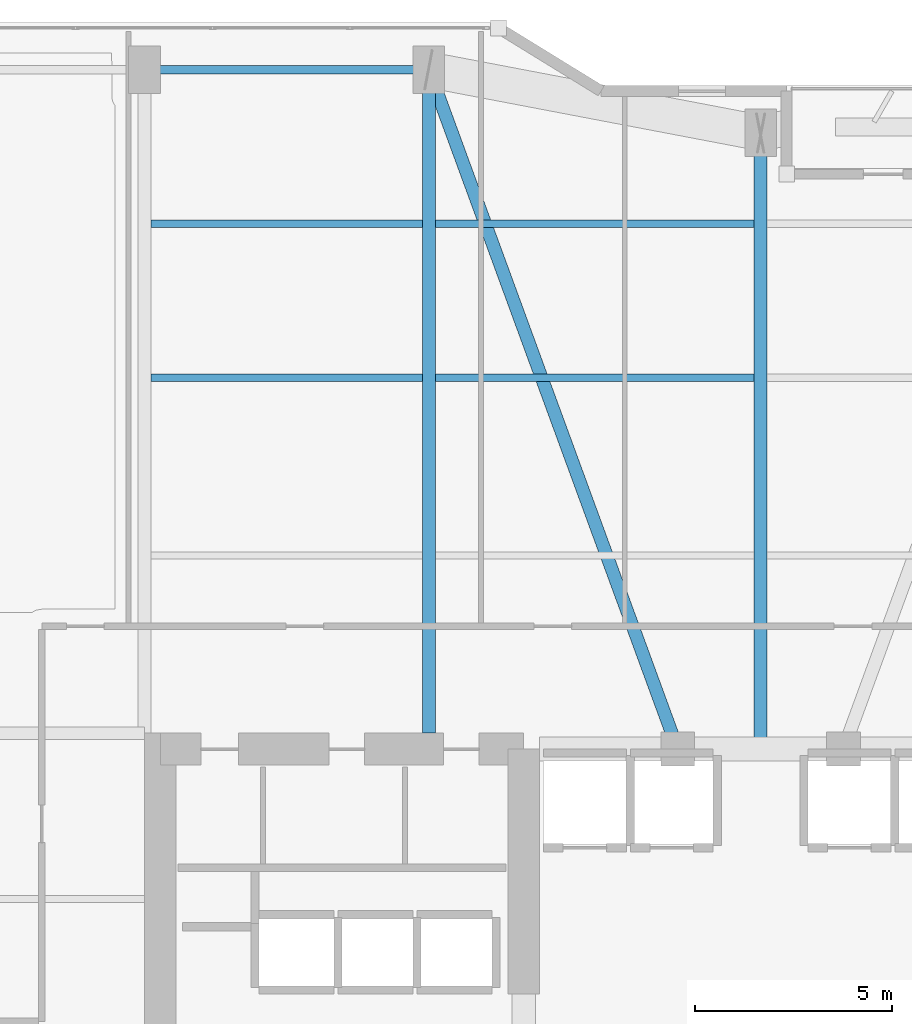
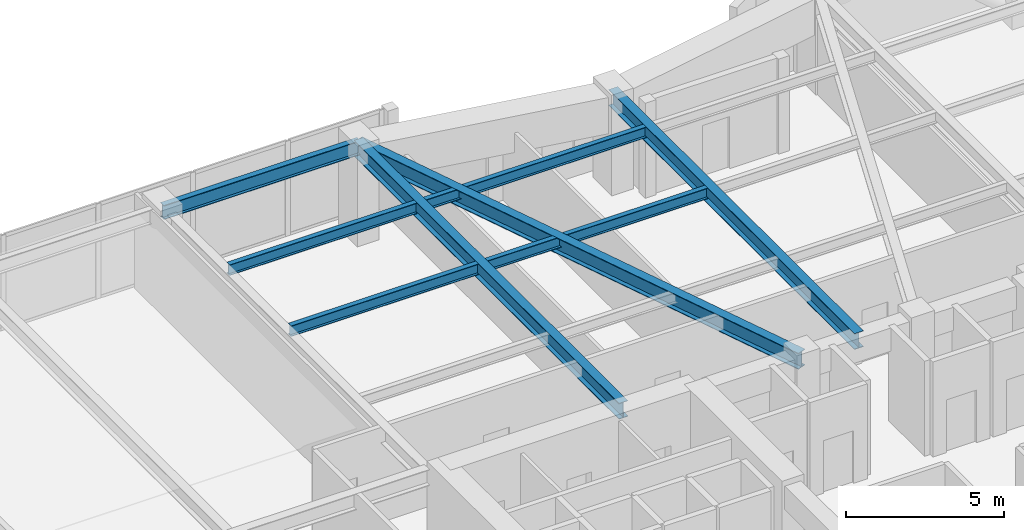
# One storey, part 18 of 30: 8 beams.
"""IFC4 building model written with IfcOpenShell, lengths in metres."""

from ifc_helpers import new_model, si_unit, direction, frame, origin, origin_2d, place, context, subcontext, project, spatial, i_section, extrude, material, material_profile, profile_set, type_object, element, save


model = new_model("IFC4")

# Units and contexts
model_context = context("Model", 3, precision=1e-05, world=origin(), true_north=direction((0.0, 1.0)))
body_context = subcontext(model_context, "Body", "Model", "MODEL_VIEW")
ifc_project = project(units=[si_unit("LENGTHUNIT", "METRE"), si_unit("AREAUNIT", "SQUARE_METRE"), si_unit("VOLUMEUNIT", "CUBIC_METRE"), si_unit("PLANEANGLEUNIT", "RADIAN"), si_unit("MASSUNIT", "GRAM", prefix="KILO")], contexts=[model_context])

# Site, building, storey
site_placement = place(None, origin())
site = spatial("IfcSite", under=ifc_project, at=site_placement, CompositionType="ELEMENT")
building_placement = place(site_placement, origin())
building = spatial("IfcBuilding", under=site, at=building_placement, Name="Kiyonajd Concourse Tower", CompositionType="ELEMENT")
storey_placement = place(building_placement, frame((0.0, 0.0, 166.199951171875)))
storey = spatial("IfcBuildingStorey", under=building, at=storey_placement, Name="L42", CompositionType="ELEMENT", Elevation=166.199951171875)

# Beams
ifc_material = material(Name="Steel ASTM A992 Grade 50", Category="steel")
ifc_material_profile_1 = material_profile(ifc_material, i_section(OverallWidth=0.180908203125, OverallDepth=0.4169921875, WebThickness=0.010986328125, FlangeThickness=0.018310546875, at=origin_2d()), Name="W410X85")
ifc_profile_set_1 = profile_set([ifc_material_profile_1], Name="Steel ASTM A992 Grade 50")
beam_type_1 = type_object("IfcBeamType", Name="BM-JST-410", PredefinedType="JOIST", material=ifc_profile_set_1)
beam_1_placement = place(storey_placement, frame((32.5634765625, 53.39990234375, 3.471435546875), z_axis=(1.0, 0.0, 0.0), x_axis=(0.0, 1.0, 0.0)))
element("IfcBeam", 1, at=beam_1_placement, inside=storey, type_object=beam_type_1, Name="L42 Secondary Floor Joist", PredefinedType="JOIST", context=body_context, shape_type="SweptSolid", body=[
    extrude(i_section(OverallWidth=0.180908203125, OverallDepth=0.4169921875, WebThickness=0.010986328125, FlangeThickness=0.018310546875, at=origin_2d()), origin(), (0.0, 0.0, 1.0), 6.873046875),
])
beam_2_placement = place(storey_placement, frame((39.763427734375, 53.39990234375, 3.471435546875), z_axis=(1.0, 0.0, 0.0), x_axis=(0.0, 1.0, 0.0)))
element("IfcBeam", 2, at=beam_2_placement, inside=storey, type_object=beam_type_1, Name="L42 Secondary Floor Joist", PredefinedType="JOIST", context=body_context, shape_type="SweptSolid", body=[
    extrude(i_section(OverallWidth=0.180908203125, OverallDepth=0.4169921875, WebThickness=0.010986328125, FlangeThickness=0.018310546875, at=origin_2d()), origin(), (0.0, 0.0, 1.0), 8.072998046875),
])
beam_3_placement = place(storey_placement, frame((32.5634765625, 57.300048828125, 3.471435546875), z_axis=(1.0, 0.0, 0.0), x_axis=(0.0, 1.0, 0.0)))
element("IfcBeam", 3, at=beam_3_placement, inside=storey, type_object=beam_type_1, Name="L42 Secondary Floor Joist", PredefinedType="JOIST", context=body_context, shape_type="SweptSolid", body=[
    extrude(i_section(OverallWidth=0.180908203125, OverallDepth=0.4169921875, WebThickness=0.010986328125, FlangeThickness=0.018310546875, at=origin_2d()), origin(), (0.0, 0.0, 1.0), 6.873046875),
])
beam_4_placement = place(storey_placement, frame((39.763427734375, 57.300048828125, 3.471435546875), z_axis=(1.0, 0.0, 0.0), x_axis=(0.0, 1.0, 0.0)))
element("IfcBeam", 4, at=beam_4_placement, inside=storey, type_object=beam_type_1, Name="L42 Secondary Floor Joist", PredefinedType="JOIST", context=body_context, shape_type="SweptSolid", body=[
    extrude(i_section(OverallWidth=0.180908203125, OverallDepth=0.4169921875, WebThickness=0.010986328125, FlangeThickness=0.018310546875, at=origin_2d()), origin(), (0.0, 0.0, 1.0), 8.072998046875),
])
ifc_material_profile_2 = material_profile(ifc_material, i_section(OverallWidth=0.214111328125, OverallDepth=0.549072265625, WebThickness=0.0146484375, FlangeThickness=0.023681640625, at=origin_2d()), Name="W530X138")
ifc_profile_set_2 = profile_set([ifc_material_profile_2], Name="Steel ASTM A992 Grade 50")
beam_type_2 = type_object("IfcBeamType", Name="BM-SPAN-530A", PredefinedType="SPANDREL", material=ifc_profile_set_2)
beam_5_placement = place(storey_placement, frame((39.60009765625, 61.199951171875, 3.405517578125), z_axis=(-1.0, 0.0, 0.0), x_axis=(0.0, -1.0, 0.0)))
element("IfcBeam", 5, at=beam_5_placement, inside=storey, type_object=beam_type_2, Name="L42 Perimeter Bundled Tube Spandrel", PredefinedType="SPANDREL", context=body_context, shape_type="SweptSolid", body=[
    extrude(i_section(OverallWidth=0.214111328125, OverallDepth=0.549072265625, WebThickness=0.0146484375, FlangeThickness=0.023681640625, at=origin_2d()), origin(), (0.0, 0.0, 1.0), 7.2001953125),
])
ifc_material_profile_3 = material_profile(ifc_material, i_section(OverallWidth=0.326904296875, OverallDepth=0.6220703125, WebThickness=0.015380859375, FlangeThickness=0.0244140625, at=origin_2d()), Name="W610X195")
ifc_profile_set_3 = profile_set([ifc_material_profile_3], Name="Steel ASTM A992 Grade 50")
beam_type_3 = type_object("IfcBeamType", Name="BM-TWR-610A", PredefinedType="BEAM", material=ifc_profile_set_3)
beam_6_placement = place(storey_placement, frame((39.60009765625, 61.199951171875, 3.369140625), z_axis=(0.343925269715, -0.938997022813, 0.0), x_axis=(0.938997022813, 0.343925269715, 0.0)))
element("IfcBeam", 6, at=beam_6_placement, inside=storey, type_object=beam_type_3, Name="L42 Core Tie Girder", PredefinedType="BEAM", context=body_context, shape_type="SweptSolid", body=[
    extrude(i_section(OverallWidth=0.326904296875, OverallDepth=0.6220703125, WebThickness=0.015380859375, FlangeThickness=0.0244140625, at=origin_2d()), origin(), (0.0, 0.0, 1.0), 18.3173828125),
])
beam_7_placement = place(storey_placement, frame((39.60009765625, 44.39990234375, 3.369140625), z_axis=(0.0, 1.0, 0.0), x_axis=(-1.0, 0.0, 0.0)))
element("IfcBeam", 7, at=beam_7_placement, inside=storey, type_object=beam_type_3, Name="L42 North Lease Girder", PredefinedType="BEAM", context=body_context, shape_type="SweptSolid", body=[
    extrude(i_section(OverallWidth=0.326904296875, OverallDepth=0.6220703125, WebThickness=0.015380859375, FlangeThickness=0.0244140625, at=origin_2d()), origin(), (0.0, 0.0, 1.0), 16.800048828125),
])
beam_8_placement = place(storey_placement, frame((48.0, 44.0, 3.369140625), z_axis=(0.0, 1.0, 0.0), x_axis=(-1.0, 0.0, 0.0)))
element("IfcBeam", 8, at=beam_8_placement, inside=storey, type_object=beam_type_3, Name="L42 North Ribbon Girder", PredefinedType="BEAM", context=body_context, shape_type="SweptSolid", body=[
    extrude(i_section(OverallWidth=0.326904296875, OverallDepth=0.6220703125, WebThickness=0.015380859375, FlangeThickness=0.0244140625, at=origin_2d()), origin(), (0.0, 0.0, 1.0), 15.60009765625),
])

save(model, "model.ifc")
